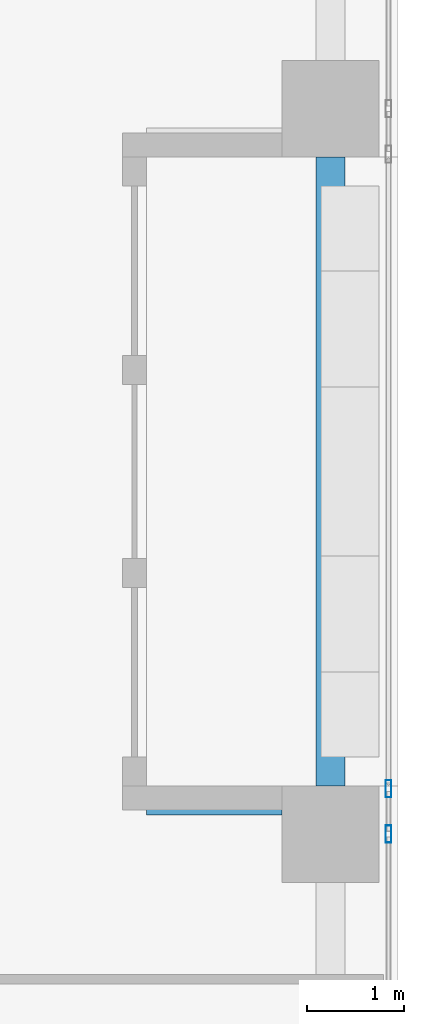
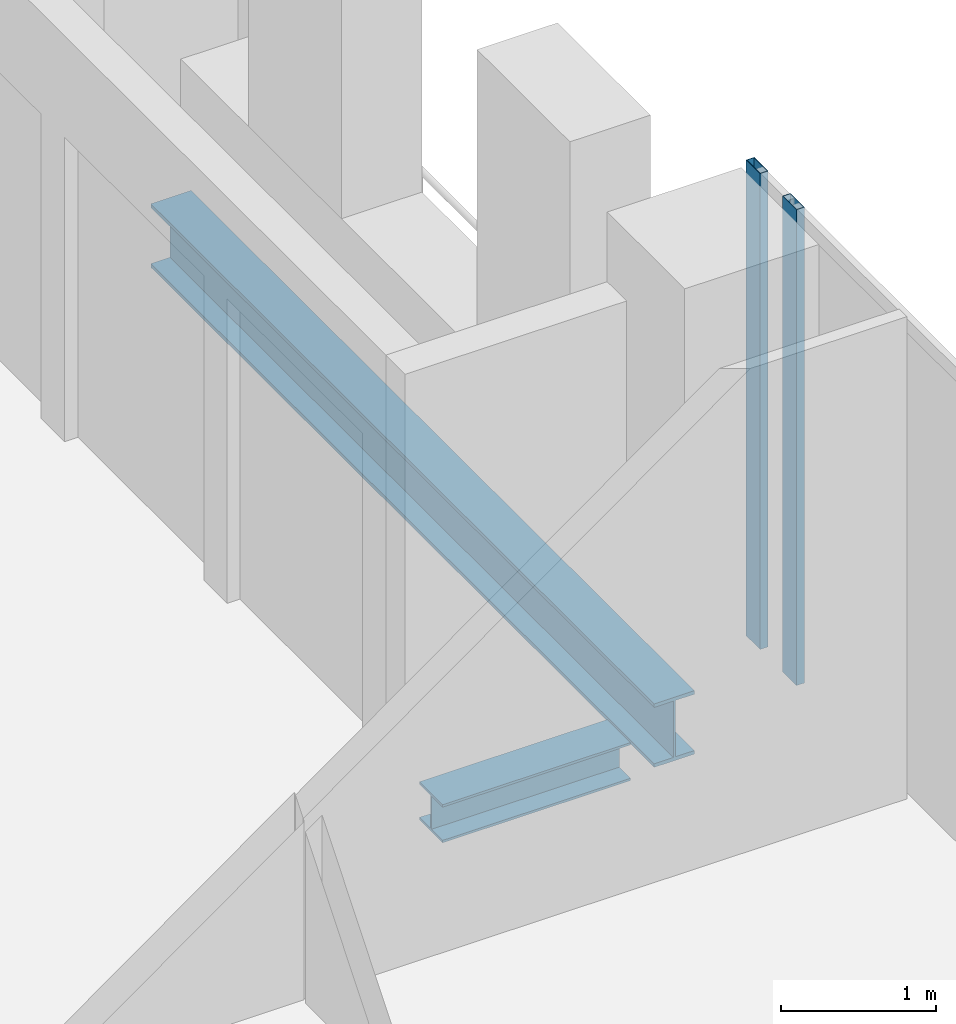
# One storey, part 25 of 40: 2 beams, 2 members, 1 element without a shape of its own.
"""IFC4 building model written with IfcOpenShell, lengths in metres."""

from ifc_helpers import new_model, si_unit, direction, frame, origin, origin_2d, place, context, subcontext, project, spatial, hollow_rectangle, i_section, extrude, source, transform, mapped, material, material_profile, profile_set, type_object, element, aggregate, save


model = new_model("IFC4")

# Units and contexts
model_context = context("Model", 3, precision=1e-05, world=origin(), true_north=direction((0.0, 1.0)))
body_context = subcontext(model_context, "Body", "Model", "MODEL_VIEW")
ifc_project = project(units=[si_unit("LENGTHUNIT", "METRE"), si_unit("AREAUNIT", "SQUARE_METRE"), si_unit("VOLUMEUNIT", "CUBIC_METRE"), si_unit("PLANEANGLEUNIT", "RADIAN"), si_unit("MASSUNIT", "GRAM", prefix="KILO")], contexts=[model_context])

# Site, building, storey
site_placement = place(None, origin())
site = spatial("IfcSite", under=ifc_project, at=site_placement, CompositionType="ELEMENT")
building_placement = place(site_placement, origin())
building = spatial("IfcBuilding", under=site, at=building_placement, Name="Khomas Fold Tower", CompositionType="ELEMENT")
storey_placement = place(building_placement, frame((0.0, 0.0, 184.699951171875)))
storey = spatial("IfcBuildingStorey", under=building, at=storey_placement, Name="L40", CompositionType="ELEMENT", Elevation=184.699951171875)

# Beams
ifc_material_1 = material(Name="Steel S355", Category="steel")
ifc_material_profile_1 = material_profile(ifc_material_1, i_section(OverallWidth=0.300048828125, OverallDepth=0.5, WebThickness=0.014404296875, FlangeThickness=0.028076171875, at=origin_2d()), Name="HE 500 B")
ifc_profile_set_1 = profile_set([ifc_material_profile_1], Name="Steel S355")
beam_type_1 = type_object("IfcBeamType", Name="HE 500 B spandrel SB3", PredefinedType="SPANDREL", material=ifc_profile_set_1)
shared_shape_1 = source(origin(), body_context, "Body", "SweptSolid", [
    extrude(i_section(OverallWidth=0.300048828125, OverallDepth=0.5, WebThickness=0.014404296875, FlangeThickness=0.028076171875, at=origin_2d()), origin(), (0.0, 0.0, 1.0), 6.5),
])
beam_1_placement = place(storey_placement, frame((50.300048828125, 35.0, -0.5), z_axis=(0.0, 1.0, 0.0), x_axis=(-1.0, 0.0, 0.0)))
element("IfcBeam", 1, at=beam_1_placement, inside=storey, type_object=beam_type_1, Name="SB3", PredefinedType="SPANDREL", context=body_context, shape_type="MappedRepresentation", body=[
    mapped(shared_shape_1, transform((0.0, 0.0, 0.0))),
])
ifc_material_2 = material(Name="Steel S355", Category="steel")
ifc_material_profile_2 = material_profile(ifc_material_2, i_section(OverallWidth=0.300048828125, OverallDepth=0.300048828125, WebThickness=0.010986328125, FlangeThickness=0.01904296875, at=origin_2d()), Name="HE 300 B")
ifc_profile_set_2 = profile_set([ifc_material_profile_2], Name="Steel S355")
beam_type_2 = type_object("IfcBeamType", Name="HE 300 B beam BB1", PredefinedType="BEAM", material=ifc_profile_set_2)
shared_shape_2 = source(origin(), body_context, "Body", "SweptSolid", [
    extrude(i_section(OverallWidth=0.300048828125, OverallDepth=0.300048828125, WebThickness=0.010986328125, FlangeThickness=0.01904296875, at=origin_2d()), origin(), (0.0, 0.0, 1.0), 1.400146484375),
])
beam_2_placement = place(storey_placement, frame((48.39990234375, 34.85009765625, -0.39990234375), z_axis=(1.0, 0.0, 0.0), x_axis=(0.0, 1.0, 0.0)))
element("IfcBeam", 2, at=beam_2_placement, inside=storey, type_object=beam_type_2, Name="BB1", PredefinedType="BEAM", context=body_context, shape_type="MappedRepresentation", body=[
    mapped(shared_shape_2, transform((0.0, 0.0, 0.0))),
])

# Curtain wall, members
ifc_material_3 = material(Name="Aluminium framed double glazing", Category="aluminium")
curtain_wall_type = type_object("IfcCurtainWallType", Name="SK-Unitised clear-glass wall, office floors CW2", PredefinedType="NOTDEFINED", material=ifc_material_3)
curtain_wall_placement = place(storey_placement, origin())
curtain_wall = element("IfcCurtainWall", 3, at=curtain_wall_placement, inside=storey, type_object=curtain_wall_type, Name="CW2 run L40 08-0", PredefinedType="NOTDEFINED")
ifc_material_4 = material(Name="Aluminium", Category="aluminium")
ifc_material_profile_3 = material_profile(ifc_material_4, hollow_rectangle(XDim=0.06005859375, YDim=0.179931640625, WallThickness=0.00390625, at=origin_2d()), Name="SK-Unitised clear-glass wall, office floors mullion CW2-M")
ifc_profile_set_3 = profile_set([ifc_material_profile_3], Name="Aluminium")
member_type = type_object("IfcMemberType", Name="SK-Unitised clear-glass wall, office floors mullion CW2-M", PredefinedType="MULLION", material=ifc_profile_set_3)
shared_shape_3 = source(origin(), body_context, "Body", "SweptSolid", [
    extrude(hollow_rectangle(XDim=0.06005859375, YDim=0.179931640625, WallThickness=0.00390625, at=origin_2d()), origin(), (0.0, 0.0, 1.0), 3.75),
])
member_1_placement = place(storey_placement, frame((50.89990234375, 34.5, 0.0), z_axis=(0.0, 0.0, 1.0), x_axis=(-1.0, 0.0, 0.0)))
member_1 = element("IfcMember", 4, at=member_1_placement, type_object=member_type, Name="CW2 mullion 6", PredefinedType="MULLION", context=body_context, shape_type="MappedRepresentation", body=[
    mapped(shared_shape_3, transform((0.0, 0.0, 0.0))),
])
member_2_placement = place(storey_placement, frame((50.89990234375, 34.969970703125, 0.0), z_axis=(0.0, 0.0, 1.0), x_axis=(-1.0, 0.0, 0.0)))
member_2 = element("IfcMember", 5, at=member_2_placement, type_object=member_type, Name="CW2 mullion 7", PredefinedType="MULLION", context=body_context, shape_type="MappedRepresentation", body=[
    mapped(shared_shape_3, transform((0.0, 0.0, 0.0))),
])
aggregate(curtain_wall, [member_1, member_2])

save(model, "model.ifc")
